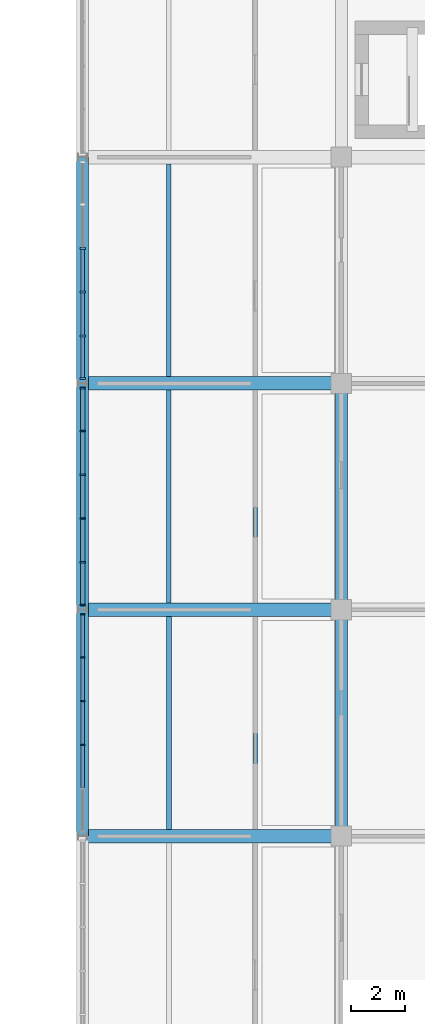
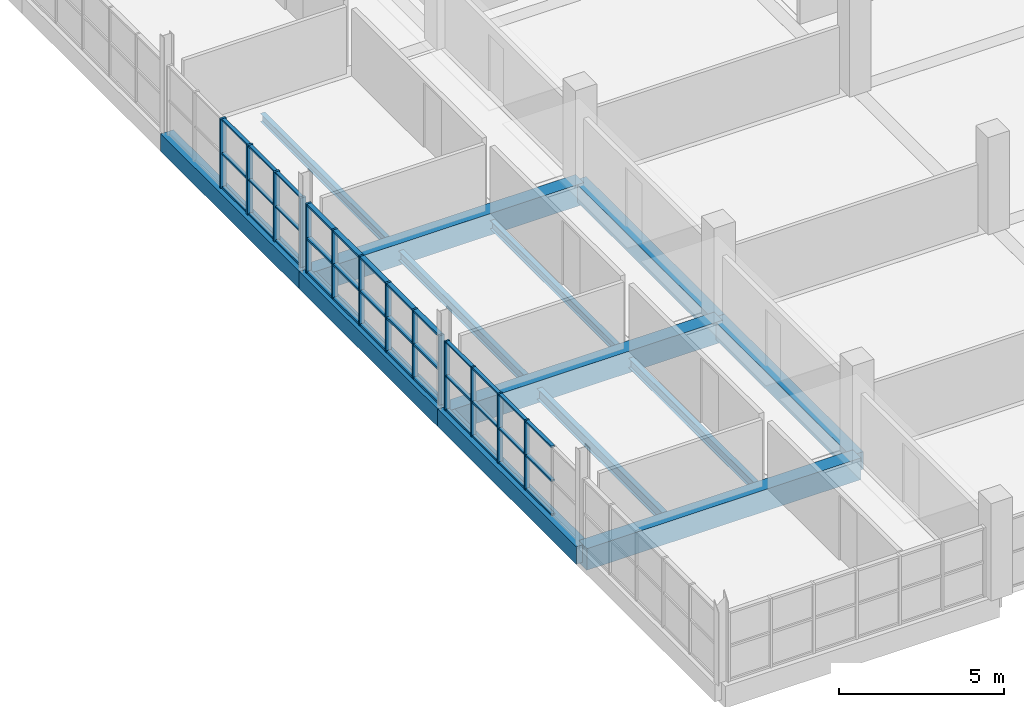
# One storey, part 30 of 147: 50 members, 13 beams, 3 elements without a shape of their own.
"""IFC4 building model written with IfcOpenShell, lengths in metres."""

from ifc_helpers import new_model, si_unit, direction, frame, origin, origin_2d, place, context, subcontext, project, spatial, rectangle, i_section, extrude, material, material_profile, profile_set, type_object, element, aggregate, save


model = new_model("IFC4")

# Units and contexts
model_context = context("Model", 3, precision=1e-05, world=origin(), true_north=direction((0.0, 1.0)))
body_context = subcontext(model_context, "Body", "Model", "MODEL_VIEW")
ifc_project = project(units=[si_unit("LENGTHUNIT", "METRE"), si_unit("AREAUNIT", "SQUARE_METRE"), si_unit("VOLUMEUNIT", "CUBIC_METRE"), si_unit("PLANEANGLEUNIT", "RADIAN"), si_unit("MASSUNIT", "GRAM", prefix="KILO")], contexts=[model_context])

# Site, building, storey
site_placement = place(None, origin())
site = spatial("IfcSite", under=ifc_project, at=site_placement, CompositionType="ELEMENT")
building_placement = place(site_placement, origin())
building = spatial("IfcBuilding", under=site, at=building_placement, Name="Oolite Switchyard Hospital", CompositionType="ELEMENT")
storey_placement = place(building_placement, frame((0.0, 0.0, 9.89990234375)))
storey = spatial("IfcBuildingStorey", under=building, at=storey_placement, Name="L02", CompositionType="ELEMENT", Elevation=9.89990234375)

# Beams
ifc_material_1 = material(Name="Concrete C40/50", Category="concrete")
ifc_material_profile_1 = material_profile(ifc_material_1, rectangle(XDim=0.449951171875, YDim=0.64990234375, at=origin_2d()), Name="RCB450X650")
ifc_profile_set_1 = profile_set([ifc_material_profile_1], Name="Concrete C40/50")
beam_type_1 = type_object("IfcBeamType", Name="BM-RC450X650", PredefinedType="BEAM", material=ifc_profile_set_1)
beam_1_placement = place(storey_placement, frame((115.199951171875, 42.0, -0.324951171875), z_axis=(0.0, 1.0, 0.0), x_axis=(-1.0, 0.0, 0.0)))
element("IfcBeam", 1, at=beam_1_placement, inside=storey, type_object=beam_type_1, Name="L02 Y-Girder 1383", PredefinedType="BEAM", context=body_context, shape_type="SweptSolid", body=[
    extrude(rectangle(XDim=0.449951171875, YDim=0.64990234375, at=origin_2d()), origin(), (0.0, 0.0, 1.0), 8.39990234375),
])
beam_2_placement = place(storey_placement, frame((115.199951171875, 50.39990234375, -0.324951171875), z_axis=(0.0, 1.0, 0.0), x_axis=(-1.0, 0.0, 0.0)))
element("IfcBeam", 2, at=beam_2_placement, inside=storey, type_object=beam_type_1, Name="L02 Y-Girder 1384", PredefinedType="BEAM", context=body_context, shape_type="SweptSolid", body=[
    extrude(rectangle(XDim=0.449951171875, YDim=0.64990234375, at=origin_2d()), origin(), (0.0, 0.0, 1.0), 8.400146484375),
])
for number, where, z_axis, x_axis, name in (
    (3, (115.199951171875, 58.800048828125, -0.324951171875), (0.0, 1.0, 0.0), (-1.0, 0.0, 0.0), "L02 Y-Girder 1385"),
    (4, (124.800048828125, 42.0, -0.324951171875), (0.0, 1.0, 0.0), (-1.0, 0.0, 0.0), "L02 Y-Girder 1392"),
):
    element("IfcBeam", number, at=place(storey_placement, frame(where, z_axis=z_axis, x_axis=x_axis)), inside=storey, type_object=beam_type_1, Name=name, PredefinedType="BEAM", context=body_context, shape_type="SweptSolid", body=[
        extrude(rectangle(XDim=0.449951171875, YDim=0.64990234375, at=origin_2d()), origin(), (0.0, 0.0, 1.0), 8.39990234375),
    ])
beam_3_placement = place(storey_placement, frame((124.800048828125, 50.39990234375, -0.324951171875), z_axis=(0.0, 1.0, 0.0), x_axis=(-1.0, 0.0, 0.0)))
element("IfcBeam", 5, at=beam_3_placement, inside=storey, type_object=beam_type_1, Name="L02 Y-Girder 1393", PredefinedType="BEAM", context=body_context, shape_type="SweptSolid", body=[
    extrude(rectangle(XDim=0.449951171875, YDim=0.64990234375, at=origin_2d()), origin(), (0.0, 0.0, 1.0), 8.400146484375),
])
ifc_material_profile_2 = material_profile(ifc_material_1, rectangle(XDim=0.5, YDim=0.800048828125, at=origin_2d()), Name="RCB500X800")
ifc_profile_set_2 = profile_set([ifc_material_profile_2], Name="Concrete C40/50")
beam_type_2 = type_object("IfcBeamType", Name="BM-RC500X800", PredefinedType="BEAM", material=ifc_profile_set_2)
for number, where, z_axis, x_axis, name in (
    (6, (115.199951171875, 42.0, -0.39990234375), (1.0, 0.0, 0.0), (0.0, 1.0, 0.0), "L02 X-Girder 1056"),
    (7, (115.199951171875, 50.39990234375, -0.39990234375), (1.0, 0.0, 0.0), (0.0, 1.0, 0.0), "L02 X-Girder 1068"),
    (8, (115.199951171875, 58.800048828125, -0.39990234375), (1.0, 0.0, 0.0), (0.0, 1.0, 0.0), "L02 X-Girder 1084"),
):
    element("IfcBeam", number, at=place(storey_placement, frame(where, z_axis=z_axis, x_axis=x_axis)), inside=storey, type_object=beam_type_2, Name=name, PredefinedType="BEAM", context=body_context, shape_type="SweptSolid", body=[
        extrude(rectangle(XDim=0.5, YDim=0.800048828125, at=origin_2d()), origin(), (0.0, 0.0, 1.0), 9.60009765625),
    ])
ifc_material_2 = material(Name="Steel ASTM A992 Grade 50", Category="steel")
ifc_material_profile_3 = material_profile(ifc_material_2, i_section(OverallWidth=0.1650390625, OverallDepth=0.31005859375, WebThickness=0.006103515625, FlangeThickness=0.010009765625, at=origin_2d()), Name="W12X26")
ifc_profile_set_3 = profile_set([ifc_material_profile_3], Name="Steel ASTM A992 Grade 50")
beam_type_3 = type_object("IfcBeamType", Name="BM-W12X26", PredefinedType="JOIST", material=ifc_profile_set_3)
beam_4_placement = place(storey_placement, frame((121.60009765625, 50.64990234375, -0.414794921875), z_axis=(0.0, 1.0, 0.0), x_axis=(-1.0, 0.0, 0.0)))
element("IfcBeam", 9, at=beam_4_placement, inside=storey, type_object=beam_type_3, Name="L02 Secondary Steel Joist 1737", PredefinedType="JOIST", context=body_context, shape_type="SweptSolid", body=[
    extrude(i_section(OverallWidth=0.1650390625, OverallDepth=0.31005859375, WebThickness=0.006103515625, FlangeThickness=0.010009765625, at=origin_2d()), origin(), (0.0, 0.0, 1.0), 7.900146484375),
])
beam_5_placement = place(storey_placement, frame((118.39990234375, 59.050048828125, -0.414794921875), z_axis=(0.0, 1.0, 0.0), x_axis=(-1.0, 0.0, 0.0)))
element("IfcBeam", 10, at=beam_5_placement, inside=storey, type_object=beam_type_3, Name="L02 Secondary Steel Joist 1738", PredefinedType="JOIST", context=body_context, shape_type="SweptSolid", body=[
    extrude(i_section(OverallWidth=0.1650390625, OverallDepth=0.31005859375, WebThickness=0.006103515625, FlangeThickness=0.010009765625, at=origin_2d()), origin(), (0.0, 0.0, 1.0), 7.89990234375),
])
ifc_material_profile_4 = material_profile(ifc_material_2, i_section(OverallWidth=0.1708984375, OverallDepth=0.35107421875, WebThickness=0.007080078125, FlangeThickness=0.010009765625, at=origin_2d()), Name="W14X30")
ifc_profile_set_4 = profile_set([ifc_material_profile_4], Name="Steel ASTM A992 Grade 50")
beam_type_4 = type_object("IfcBeamType", Name="BM-W14X30", PredefinedType="JOIST", material=ifc_profile_set_4)
beam_6_placement = place(storey_placement, frame((121.60009765625, 42.25, -0.434814453125), z_axis=(0.0, 1.0, 0.0), x_axis=(-1.0, 0.0, 0.0)))
element("IfcBeam", 11, at=beam_6_placement, inside=storey, type_object=beam_type_4, Name="L02 Secondary Steel Joist 1735", PredefinedType="JOIST", context=body_context, shape_type="SweptSolid", body=[
    extrude(i_section(OverallWidth=0.1708984375, OverallDepth=0.35107421875, WebThickness=0.007080078125, FlangeThickness=0.010009765625, at=origin_2d()), origin(), (0.0, 0.0, 1.0), 7.89990234375),
])
beam_7_placement = place(storey_placement, frame((118.39990234375, 50.64990234375, -0.434814453125), z_axis=(0.0, 1.0, 0.0), x_axis=(-1.0, 0.0, 0.0)))
element("IfcBeam", 12, at=beam_7_placement, inside=storey, type_object=beam_type_4, Name="L02 Secondary Steel Joist 1736", PredefinedType="JOIST", context=body_context, shape_type="SweptSolid", body=[
    extrude(i_section(OverallWidth=0.1708984375, OverallDepth=0.35107421875, WebThickness=0.007080078125, FlangeThickness=0.010009765625, at=origin_2d()), origin(), (0.0, 0.0, 1.0), 7.900146484375),
])
ifc_material_profile_5 = material_profile(ifc_material_2, i_section(OverallWidth=0.177978515625, OverallDepth=0.403076171875, WebThickness=0.008056640625, FlangeThickness=0.010986328125, at=origin_2d()), Name="W16X36")
ifc_profile_set_5 = profile_set([ifc_material_profile_5], Name="Steel ASTM A992 Grade 50")
beam_type_5 = type_object("IfcBeamType", Name="BM-W16X36", PredefinedType="JOIST", material=ifc_profile_set_5)
beam_8_placement = place(storey_placement, frame((118.39990234375, 42.25, -0.4609375), z_axis=(0.0, 1.0, 0.0), x_axis=(-1.0, 0.0, 0.0)))
element("IfcBeam", 13, at=beam_8_placement, inside=storey, type_object=beam_type_5, Name="L02 Secondary Steel Joist 1734", PredefinedType="JOIST", context=body_context, shape_type="SweptSolid", body=[
    extrude(i_section(OverallWidth=0.177978515625, OverallDepth=0.403076171875, WebThickness=0.008056640625, FlangeThickness=0.010986328125, at=origin_2d()), origin(), (0.0, 0.0, 1.0), 7.89990234375),
])

# Curtain wall, members
ifc_material_3 = material(Name="Thermally broken aluminum frame with laminated impact glazing", Category="aluminium")
curtain_wall_type = type_object("IfcCurtainWallType", Name="CW-UNIT-84X36", PredefinedType="USERDEFINED", material=ifc_material_3)
curtain_wall_1_placement = place(storey_placement, origin())
curtain_wall_1 = element("IfcCurtainWall", 14, at=curtain_wall_1_placement, inside=storey, type_object=curtain_wall_type, Name="L02 Unitised Curtain Wall 292", ObjectType="UNITISED", PredefinedType="USERDEFINED")
ifc_material_4 = material(Name="Aluminium 6063-T6", Category="aluminium")
ifc_material_profile_6 = material_profile(ifc_material_4, rectangle(XDim=0.159912109375, YDim=0.06005859375, at=origin_2d()), Name="CWM60X160")
ifc_profile_set_6 = profile_set([ifc_material_profile_6], Name="Aluminium 6063-T6")
member_type_1 = type_object("IfcMemberType", Name="CW-MUL-180", PredefinedType="MULLION", material=ifc_profile_set_6)
member_1_placement = place(storey_placement, frame((115.199951171875, 45.388427734375, 0.0), z_axis=(0.0, 0.0, 1.0), x_axis=(-1.0, 0.0, 0.0)))
member_1 = element("IfcMember", 15, at=member_1_placement, type_object=member_type_1, Name="CW-08 mullion 3", PredefinedType="MULLION", context=body_context, shape_type="SweptSolid", body=[
    extrude(rectangle(XDim=0.159912109375, YDim=0.06005859375, at=origin_2d()), origin(), (0.0, 0.0, 1.0), 2.570068359375),
])
member_2_placement = place(storey_placement, frame((115.199951171875, 47.01171875, 0.0), z_axis=(0.0, 0.0, 1.0), x_axis=(-1.0, 0.0, 0.0)))
member_2 = element("IfcMember", 16, at=member_2_placement, type_object=member_type_1, Name="CW-08 mullion 4", PredefinedType="MULLION", context=body_context, shape_type="SweptSolid", body=[
    extrude(rectangle(XDim=0.159912109375, YDim=0.06005859375, at=origin_2d()), origin(), (0.0, 0.0, 1.0), 2.570068359375),
])
member_3_placement = place(storey_placement, frame((115.199951171875, 48.634765625, 0.0), z_axis=(0.0, 0.0, 1.0), x_axis=(-1.0, 0.0, 0.0)))
member_3 = element("IfcMember", 17, at=member_3_placement, type_object=member_type_1, Name="CW-08 mullion 5", PredefinedType="MULLION", context=body_context, shape_type="SweptSolid", body=[
    extrude(rectangle(XDim=0.159912109375, YDim=0.06005859375, at=origin_2d()), origin(), (0.0, 0.0, 1.0), 2.570068359375),
])
member_4_placement = place(storey_placement, frame((115.199951171875, 50.22802734375, 0.0), z_axis=(0.0, 0.0, 1.0), x_axis=(-1.0, 0.0, 0.0)))
member_4 = element("IfcMember", 18, at=member_4_placement, type_object=member_type_1, Name="CW-08 mullion 6", PredefinedType="MULLION", context=body_context, shape_type="SweptSolid", body=[
    extrude(rectangle(XDim=0.159912109375, YDim=0.06005859375, at=origin_2d()), origin(), (0.0, 0.0, 1.0), 2.570068359375),
])

curtain_wall_2_placement = place(storey_placement, origin())
curtain_wall_2 = element("IfcCurtainWall", 19, at=curtain_wall_2_placement, inside=storey, type_object=curtain_wall_type, Name="L02 Unitised Curtain Wall 293", ObjectType="UNITISED", PredefinedType="USERDEFINED")
ifc_material_profile_7 = material_profile(ifc_material_4, rectangle(XDim=0.179931640625, YDim=0.070068359375, at=origin_2d()), Name="CWM70X180")
ifc_profile_set_7 = profile_set([ifc_material_profile_7], Name="Aluminium 6063-T6")
member_type_2 = type_object("IfcMemberType", Name="CW-MUL-220", PredefinedType="MULLION", material=ifc_profile_set_7)
member_5_placement = place(storey_placement, frame((115.199951171875, 50.576904296875, 0.0), z_axis=(0.0, 0.0, 1.0), x_axis=(-1.0, 0.0, 0.0)))
member_5 = element("IfcMember", 20, at=member_5_placement, type_object=member_type_2, Name="CW-08 mullion 1", PredefinedType="MULLION", context=body_context, shape_type="SweptSolid", body=[
    extrude(rectangle(XDim=0.179931640625, YDim=0.070068359375, at=origin_2d()), origin(), (0.0, 0.0, 1.0), 2.570068359375),
])
member_6_placement = place(storey_placement, frame((115.199951171875, 52.165283203125, 0.0), z_axis=(0.0, 0.0, 1.0), x_axis=(-1.0, 0.0, 0.0)))
member_6 = element("IfcMember", 21, at=member_6_placement, type_object=member_type_2, Name="CW-08 mullion 2", PredefinedType="MULLION", context=body_context, shape_type="SweptSolid", body=[
    extrude(rectangle(XDim=0.179931640625, YDim=0.070068359375, at=origin_2d()), origin(), (0.0, 0.0, 1.0), 2.570068359375),
])
member_7_placement = place(storey_placement, frame((115.199951171875, 53.788330078125, 0.0), z_axis=(0.0, 0.0, 1.0), x_axis=(-1.0, 0.0, 0.0)))
member_7 = element("IfcMember", 22, at=member_7_placement, type_object=member_type_2, Name="CW-08 mullion 3", PredefinedType="MULLION", context=body_context, shape_type="SweptSolid", body=[
    extrude(rectangle(XDim=0.179931640625, YDim=0.070068359375, at=origin_2d()), origin(), (0.0, 0.0, 1.0), 2.570068359375),
])
member_8_placement = place(storey_placement, frame((115.199951171875, 55.41162109375, 0.0), z_axis=(0.0, 0.0, 1.0), x_axis=(-1.0, 0.0, 0.0)))
member_8 = element("IfcMember", 23, at=member_8_placement, type_object=member_type_2, Name="CW-08 mullion 4", PredefinedType="MULLION", context=body_context, shape_type="SweptSolid", body=[
    extrude(rectangle(XDim=0.179931640625, YDim=0.070068359375, at=origin_2d()), origin(), (0.0, 0.0, 1.0), 2.570068359375),
])
member_9_placement = place(storey_placement, frame((115.199951171875, 57.034912109375, 0.0), z_axis=(0.0, 0.0, 1.0), x_axis=(-1.0, 0.0, 0.0)))
member_9 = element("IfcMember", 24, at=member_9_placement, type_object=member_type_2, Name="CW-08 mullion 5", PredefinedType="MULLION", context=body_context, shape_type="SweptSolid", body=[
    extrude(rectangle(XDim=0.179931640625, YDim=0.070068359375, at=origin_2d()), origin(), (0.0, 0.0, 1.0), 2.570068359375),
])
member_10_placement = place(storey_placement, frame((115.199951171875, 58.623046875, 0.0), z_axis=(0.0, 0.0, 1.0), x_axis=(-1.0, 0.0, 0.0)))
member_10 = element("IfcMember", 25, at=member_10_placement, type_object=member_type_2, Name="CW-08 mullion 6", PredefinedType="MULLION", context=body_context, shape_type="SweptSolid", body=[
    extrude(rectangle(XDim=0.179931640625, YDim=0.070068359375, at=origin_2d()), origin(), (0.0, 0.0, 1.0), 2.570068359375),
])

curtain_wall_3_placement = place(storey_placement, origin())
curtain_wall_3 = element("IfcCurtainWall", 26, at=curtain_wall_3_placement, inside=storey, type_object=curtain_wall_type, Name="L02 Unitised Curtain Wall 294", ObjectType="UNITISED", PredefinedType="USERDEFINED")
ifc_material_profile_8 = material_profile(ifc_material_4, rectangle(XDim=0.199951171875, YDim=0.074951171875, at=origin_2d()), Name="CWM75X200")
ifc_profile_set_8 = profile_set([ifc_material_profile_8], Name="Aluminium 6063-T6")
member_type_3 = type_object("IfcMemberType", Name="CW-MUL-260", PredefinedType="MULLION", material=ifc_profile_set_8)
member_11_placement = place(storey_placement, frame((115.199951171875, 58.9794921875, 0.0), z_axis=(0.0, 0.0, 1.0), x_axis=(-1.0, 0.0, 0.0)))
member_11 = element("IfcMember", 27, at=member_11_placement, type_object=member_type_3, Name="CW-08 mullion 1", PredefinedType="MULLION", context=body_context, shape_type="SweptSolid", body=[
    extrude(rectangle(XDim=0.199951171875, YDim=0.074951171875, at=origin_2d()), origin(), (0.0, 0.0, 1.0), 2.570068359375),
])
member_12_placement = place(storey_placement, frame((115.199951171875, 60.565185546875, 0.0), z_axis=(0.0, 0.0, 1.0), x_axis=(-1.0, 0.0, 0.0)))
member_12 = element("IfcMember", 28, at=member_12_placement, type_object=member_type_3, Name="CW-08 mullion 2", PredefinedType="MULLION", context=body_context, shape_type="SweptSolid", body=[
    extrude(rectangle(XDim=0.199951171875, YDim=0.074951171875, at=origin_2d()), origin(), (0.0, 0.0, 1.0), 2.570068359375),
])
member_13_placement = place(storey_placement, frame((115.199951171875, 62.1884765625, 0.0), z_axis=(0.0, 0.0, 1.0), x_axis=(-1.0, 0.0, 0.0)))
member_13 = element("IfcMember", 29, at=member_13_placement, type_object=member_type_3, Name="CW-08 mullion 3", PredefinedType="MULLION", context=body_context, shape_type="SweptSolid", body=[
    extrude(rectangle(XDim=0.199951171875, YDim=0.074951171875, at=origin_2d()), origin(), (0.0, 0.0, 1.0), 2.570068359375),
])
member_14_placement = place(storey_placement, frame((115.199951171875, 63.8115234375, 0.0), z_axis=(0.0, 0.0, 1.0), x_axis=(-1.0, 0.0, 0.0)))
member_14 = element("IfcMember", 30, at=member_14_placement, type_object=member_type_3, Name="CW-08 mullion 4", PredefinedType="MULLION", context=body_context, shape_type="SweptSolid", body=[
    extrude(rectangle(XDim=0.199951171875, YDim=0.074951171875, at=origin_2d()), origin(), (0.0, 0.0, 1.0), 2.570068359375),
])

# Member
ifc_material_profile_9 = material_profile(ifc_material_4, rectangle(XDim=0.1201171875, YDim=0.06005859375, at=origin_2d()), Name="CWT60X120")
ifc_profile_set_9 = profile_set([ifc_material_profile_9], Name="Aluminium 6063-T6")
member_type_4 = type_object("IfcMemberType", Name="CW-TRN-150", PredefinedType="USERDEFINED", material=ifc_profile_set_9)
member_15_placement = place(storey_placement, frame((115.199951171875, 43.795166015625, 0.030029296875), z_axis=(0.0, 1.0, 0.0), x_axis=(-1.0, 0.0, 0.0)))
member_15 = element("IfcMember", 31, at=member_15_placement, type_object=member_type_4, Name="CW-08 transom 2.1", ObjectType="TRANSOM", PredefinedType="USERDEFINED", context=body_context, shape_type="SweptSolid", body=[
    extrude(rectangle(XDim=0.1201171875, YDim=0.06005859375, at=origin_2d()), origin(), (0.0, 0.0, 1.0), 1.563232421875),
])

member_16_placement = place(storey_placement, frame((115.199951171875, 43.795166015625, 1.28515625), z_axis=(0.0, 1.0, 0.0), x_axis=(-1.0, 0.0, 0.0)))
member_16 = element("IfcMember", 32, at=member_16_placement, type_object=member_type_4, Name="CW-08 transom 2.2", ObjectType="TRANSOM", PredefinedType="USERDEFINED", context=body_context, shape_type="SweptSolid", body=[
    extrude(rectangle(XDim=0.1201171875, YDim=0.06005859375, at=origin_2d()), origin(), (0.0, 0.0, 1.0), 1.563232421875),
])

member_17_placement = place(storey_placement, frame((115.199951171875, 43.795166015625, 2.5400390625), z_axis=(0.0, 1.0, 0.0), x_axis=(-1.0, 0.0, 0.0)))
member_17 = element("IfcMember", 33, at=member_17_placement, type_object=member_type_4, Name="CW-08 transom 2.3", ObjectType="TRANSOM", PredefinedType="USERDEFINED", context=body_context, shape_type="SweptSolid", body=[
    extrude(rectangle(XDim=0.1201171875, YDim=0.06005859375, at=origin_2d()), origin(), (0.0, 0.0, 1.0), 1.563232421875),
])

member_18_placement = place(storey_placement, frame((115.199951171875, 45.41845703125, 0.030029296875), z_axis=(0.0, 1.0, 0.0), x_axis=(-1.0, 0.0, 0.0)))
member_18 = element("IfcMember", 34, at=member_18_placement, type_object=member_type_4, Name="CW-08 transom 3.1", ObjectType="TRANSOM", PredefinedType="USERDEFINED", context=body_context, shape_type="SweptSolid", body=[
    extrude(rectangle(XDim=0.1201171875, YDim=0.06005859375, at=origin_2d()), origin(), (0.0, 0.0, 1.0), 1.563232421875),
])

member_19_placement = place(storey_placement, frame((115.199951171875, 45.41845703125, 1.28515625), z_axis=(0.0, 1.0, 0.0), x_axis=(-1.0, 0.0, 0.0)))
member_19 = element("IfcMember", 35, at=member_19_placement, type_object=member_type_4, Name="CW-08 transom 3.2", ObjectType="TRANSOM", PredefinedType="USERDEFINED", context=body_context, shape_type="SweptSolid", body=[
    extrude(rectangle(XDim=0.1201171875, YDim=0.06005859375, at=origin_2d()), origin(), (0.0, 0.0, 1.0), 1.563232421875),
])

member_20_placement = place(storey_placement, frame((115.199951171875, 45.41845703125, 2.5400390625), z_axis=(0.0, 1.0, 0.0), x_axis=(-1.0, 0.0, 0.0)))
member_20 = element("IfcMember", 36, at=member_20_placement, type_object=member_type_4, Name="CW-08 transom 3.3", ObjectType="TRANSOM", PredefinedType="USERDEFINED", context=body_context, shape_type="SweptSolid", body=[
    extrude(rectangle(XDim=0.1201171875, YDim=0.06005859375, at=origin_2d()), origin(), (0.0, 0.0, 1.0), 1.563232421875),
])

member_21_placement = place(storey_placement, frame((115.199951171875, 47.04150390625, 0.030029296875), z_axis=(0.0, 1.0, 0.0), x_axis=(-1.0, 0.0, 0.0)))
member_21 = element("IfcMember", 37, at=member_21_placement, type_object=member_type_4, Name="CW-08 transom 4.1", ObjectType="TRANSOM", PredefinedType="USERDEFINED", context=body_context, shape_type="SweptSolid", body=[
    extrude(rectangle(XDim=0.1201171875, YDim=0.06005859375, at=origin_2d()), origin(), (0.0, 0.0, 1.0), 1.563232421875),
])

member_22_placement = place(storey_placement, frame((115.199951171875, 47.04150390625, 1.28515625), z_axis=(0.0, 1.0, 0.0), x_axis=(-1.0, 0.0, 0.0)))
member_22 = element("IfcMember", 38, at=member_22_placement, type_object=member_type_4, Name="CW-08 transom 4.2", ObjectType="TRANSOM", PredefinedType="USERDEFINED", context=body_context, shape_type="SweptSolid", body=[
    extrude(rectangle(XDim=0.1201171875, YDim=0.06005859375, at=origin_2d()), origin(), (0.0, 0.0, 1.0), 1.563232421875),
])

member_23_placement = place(storey_placement, frame((115.199951171875, 47.04150390625, 2.5400390625), z_axis=(0.0, 1.0, 0.0), x_axis=(-1.0, 0.0, 0.0)))
member_23 = element("IfcMember", 39, at=member_23_placement, type_object=member_type_4, Name="CW-08 transom 4.3", ObjectType="TRANSOM", PredefinedType="USERDEFINED", context=body_context, shape_type="SweptSolid", body=[
    extrude(rectangle(XDim=0.1201171875, YDim=0.06005859375, at=origin_2d()), origin(), (0.0, 0.0, 1.0), 1.563232421875),
])

member_24_placement = place(storey_placement, frame((115.199951171875, 48.664794921875, 0.030029296875), z_axis=(0.0, 1.0, 0.0), x_axis=(-1.0, 0.0, 0.0)))
member_24 = element("IfcMember", 40, at=member_24_placement, type_object=member_type_4, Name="CW-08 transom 5.1", ObjectType="TRANSOM", PredefinedType="USERDEFINED", context=body_context, shape_type="SweptSolid", body=[
    extrude(rectangle(XDim=0.1201171875, YDim=0.06005859375, at=origin_2d()), origin(), (0.0, 0.0, 1.0), 1.533203125),
])

member_25_placement = place(storey_placement, frame((115.199951171875, 48.664794921875, 1.28515625), z_axis=(0.0, 1.0, 0.0), x_axis=(-1.0, 0.0, 0.0)))
member_25 = element("IfcMember", 41, at=member_25_placement, type_object=member_type_4, Name="CW-08 transom 5.2", ObjectType="TRANSOM", PredefinedType="USERDEFINED", context=body_context, shape_type="SweptSolid", body=[
    extrude(rectangle(XDim=0.1201171875, YDim=0.06005859375, at=origin_2d()), origin(), (0.0, 0.0, 1.0), 1.533203125),
])

member_26_placement = place(storey_placement, frame((115.199951171875, 48.664794921875, 2.5400390625), z_axis=(0.0, 1.0, 0.0), x_axis=(-1.0, 0.0, 0.0)))
member_26 = element("IfcMember", 42, at=member_26_placement, type_object=member_type_4, Name="CW-08 transom 5.3", ObjectType="TRANSOM", PredefinedType="USERDEFINED", context=body_context, shape_type="SweptSolid", body=[
    extrude(rectangle(XDim=0.1201171875, YDim=0.06005859375, at=origin_2d()), origin(), (0.0, 0.0, 1.0), 1.533203125),
])

aggregate(curtain_wall_1, [member_1, member_2, member_3, member_4, member_15, member_16, member_17, member_18, member_19, member_20, member_21, member_22, member_23, member_24, member_25, member_26])

member_27_placement = place(storey_placement, frame((115.199951171875, 59.01708984375, 0.030029296875), z_axis=(0.0, 1.0, 0.0), x_axis=(-1.0, 0.0, 0.0)))
member_27 = element("IfcMember", 43, at=member_27_placement, type_object=member_type_4, Name="CW-08 transom 1.1", ObjectType="TRANSOM", PredefinedType="USERDEFINED", context=body_context, shape_type="SweptSolid", body=[
    extrude(rectangle(XDim=0.1201171875, YDim=0.06005859375, at=origin_2d()), origin(), (0.0, 0.0, 1.0), 1.510498046875),
])

member_28_placement = place(storey_placement, frame((115.199951171875, 59.01708984375, 1.28515625), z_axis=(0.0, 1.0, 0.0), x_axis=(-1.0, 0.0, 0.0)))
member_28 = element("IfcMember", 44, at=member_28_placement, type_object=member_type_4, Name="CW-08 transom 1.2", ObjectType="TRANSOM", PredefinedType="USERDEFINED", context=body_context, shape_type="SweptSolid", body=[
    extrude(rectangle(XDim=0.1201171875, YDim=0.06005859375, at=origin_2d()), origin(), (0.0, 0.0, 1.0), 1.510498046875),
])

member_29_placement = place(storey_placement, frame((115.199951171875, 59.01708984375, 2.5400390625), z_axis=(0.0, 1.0, 0.0), x_axis=(-1.0, 0.0, 0.0)))
member_29 = element("IfcMember", 45, at=member_29_placement, type_object=member_type_4, Name="CW-08 transom 1.3", ObjectType="TRANSOM", PredefinedType="USERDEFINED", context=body_context, shape_type="SweptSolid", body=[
    extrude(rectangle(XDim=0.1201171875, YDim=0.06005859375, at=origin_2d()), origin(), (0.0, 0.0, 1.0), 1.510498046875),
])

member_30_placement = place(storey_placement, frame((115.199951171875, 60.602783203125, 0.030029296875), z_axis=(0.0, 1.0, 0.0), x_axis=(-1.0, 0.0, 0.0)))
member_30 = element("IfcMember", 46, at=member_30_placement, type_object=member_type_4, Name="CW-08 transom 2.1", ObjectType="TRANSOM", PredefinedType="USERDEFINED", context=body_context, shape_type="SweptSolid", body=[
    extrude(rectangle(XDim=0.1201171875, YDim=0.06005859375, at=origin_2d()), origin(), (0.0, 0.0, 1.0), 1.548095703125),
])

member_31_placement = place(storey_placement, frame((115.199951171875, 60.602783203125, 1.28515625), z_axis=(0.0, 1.0, 0.0), x_axis=(-1.0, 0.0, 0.0)))
member_31 = element("IfcMember", 47, at=member_31_placement, type_object=member_type_4, Name="CW-08 transom 2.2", ObjectType="TRANSOM", PredefinedType="USERDEFINED", context=body_context, shape_type="SweptSolid", body=[
    extrude(rectangle(XDim=0.1201171875, YDim=0.06005859375, at=origin_2d()), origin(), (0.0, 0.0, 1.0), 1.548095703125),
])

member_32_placement = place(storey_placement, frame((115.199951171875, 60.602783203125, 2.5400390625), z_axis=(0.0, 1.0, 0.0), x_axis=(-1.0, 0.0, 0.0)))
member_32 = element("IfcMember", 48, at=member_32_placement, type_object=member_type_4, Name="CW-08 transom 2.3", ObjectType="TRANSOM", PredefinedType="USERDEFINED", context=body_context, shape_type="SweptSolid", body=[
    extrude(rectangle(XDim=0.1201171875, YDim=0.06005859375, at=origin_2d()), origin(), (0.0, 0.0, 1.0), 1.548095703125),
])

member_33_placement = place(storey_placement, frame((115.199951171875, 62.225830078125, 0.030029296875), z_axis=(0.0, 1.0, 0.0), x_axis=(-1.0, 0.0, 0.0)))
member_33 = element("IfcMember", 49, at=member_33_placement, type_object=member_type_4, Name="CW-08 transom 3.1", ObjectType="TRANSOM", PredefinedType="USERDEFINED", context=body_context, shape_type="SweptSolid", body=[
    extrude(rectangle(XDim=0.1201171875, YDim=0.06005859375, at=origin_2d()), origin(), (0.0, 0.0, 1.0), 1.54833984375),
])

member_34_placement = place(storey_placement, frame((115.199951171875, 62.225830078125, 1.28515625), z_axis=(0.0, 1.0, 0.0), x_axis=(-1.0, 0.0, 0.0)))
member_34 = element("IfcMember", 50, at=member_34_placement, type_object=member_type_4, Name="CW-08 transom 3.2", ObjectType="TRANSOM", PredefinedType="USERDEFINED", context=body_context, shape_type="SweptSolid", body=[
    extrude(rectangle(XDim=0.1201171875, YDim=0.06005859375, at=origin_2d()), origin(), (0.0, 0.0, 1.0), 1.54833984375),
])

member_35_placement = place(storey_placement, frame((115.199951171875, 62.225830078125, 2.5400390625), z_axis=(0.0, 1.0, 0.0), x_axis=(-1.0, 0.0, 0.0)))
member_35 = element("IfcMember", 51, at=member_35_placement, type_object=member_type_4, Name="CW-08 transom 3.3", ObjectType="TRANSOM", PredefinedType="USERDEFINED", context=body_context, shape_type="SweptSolid", body=[
    extrude(rectangle(XDim=0.1201171875, YDim=0.06005859375, at=origin_2d()), origin(), (0.0, 0.0, 1.0), 1.54833984375),
])

aggregate(curtain_wall_3, [member_11, member_12, member_13, member_14, member_27, member_28, member_29, member_30, member_31, member_32, member_33, member_34, member_35])

ifc_material_profile_10 = material_profile(ifc_material_4, rectangle(XDim=0.159912109375, YDim=0.074951171875, at=origin_2d()), Name="CWT75X160")
ifc_profile_set_10 = profile_set([ifc_material_profile_10], Name="Aluminium 6063-T6")
member_type_5 = type_object("IfcMemberType", Name="CW-TRN-180", PredefinedType="USERDEFINED", material=ifc_profile_set_10)
member_36_placement = place(storey_placement, frame((115.199951171875, 50.612060546875, 0.03759765625), z_axis=(0.0, 1.0, 0.0), x_axis=(-1.0, 0.0, 0.0)))
member_36 = element("IfcMember", 52, at=member_36_placement, type_object=member_type_5, Name="CW-08 transom 1.1", ObjectType="TRANSOM", PredefinedType="USERDEFINED", context=body_context, shape_type="SweptSolid", body=[
    extrude(rectangle(XDim=0.159912109375, YDim=0.074951171875, at=origin_2d()), origin(), (0.0, 0.0, 1.0), 1.51806640625),
])

member_37_placement = place(storey_placement, frame((115.199951171875, 50.612060546875, 1.28515625), z_axis=(0.0, 1.0, 0.0), x_axis=(-1.0, 0.0, 0.0)))
member_37 = element("IfcMember", 53, at=member_37_placement, type_object=member_type_5, Name="CW-08 transom 1.2", ObjectType="TRANSOM", PredefinedType="USERDEFINED", context=body_context, shape_type="SweptSolid", body=[
    extrude(rectangle(XDim=0.159912109375, YDim=0.074951171875, at=origin_2d()), origin(), (0.0, 0.0, 1.0), 1.51806640625),
])

member_38_placement = place(storey_placement, frame((115.199951171875, 50.612060546875, 2.53271484375), z_axis=(0.0, 1.0, 0.0), x_axis=(-1.0, 0.0, 0.0)))
member_38 = element("IfcMember", 54, at=member_38_placement, type_object=member_type_5, Name="CW-08 transom 1.3", ObjectType="TRANSOM", PredefinedType="USERDEFINED", context=body_context, shape_type="SweptSolid", body=[
    extrude(rectangle(XDim=0.159912109375, YDim=0.074951171875, at=origin_2d()), origin(), (0.0, 0.0, 1.0), 1.51806640625),
])

member_39_placement = place(storey_placement, frame((115.199951171875, 52.2001953125, 0.03759765625), z_axis=(0.0, 1.0, 0.0), x_axis=(-1.0, 0.0, 0.0)))
member_39 = element("IfcMember", 55, at=member_39_placement, type_object=member_type_5, Name="CW-08 transom 2.1", ObjectType="TRANSOM", PredefinedType="USERDEFINED", context=body_context, shape_type="SweptSolid", body=[
    extrude(rectangle(XDim=0.159912109375, YDim=0.074951171875, at=origin_2d()), origin(), (0.0, 0.0, 1.0), 1.55322265625),
])

member_40_placement = place(storey_placement, frame((115.199951171875, 52.2001953125, 1.28515625), z_axis=(0.0, 1.0, 0.0), x_axis=(-1.0, 0.0, 0.0)))
member_40 = element("IfcMember", 56, at=member_40_placement, type_object=member_type_5, Name="CW-08 transom 2.2", ObjectType="TRANSOM", PredefinedType="USERDEFINED", context=body_context, shape_type="SweptSolid", body=[
    extrude(rectangle(XDim=0.159912109375, YDim=0.074951171875, at=origin_2d()), origin(), (0.0, 0.0, 1.0), 1.55322265625),
])

member_41_placement = place(storey_placement, frame((115.199951171875, 52.2001953125, 2.53271484375), z_axis=(0.0, 1.0, 0.0), x_axis=(-1.0, 0.0, 0.0)))
member_41 = element("IfcMember", 57, at=member_41_placement, type_object=member_type_5, Name="CW-08 transom 2.3", ObjectType="TRANSOM", PredefinedType="USERDEFINED", context=body_context, shape_type="SweptSolid", body=[
    extrude(rectangle(XDim=0.159912109375, YDim=0.074951171875, at=origin_2d()), origin(), (0.0, 0.0, 1.0), 1.55322265625),
])

member_42_placement = place(storey_placement, frame((115.199951171875, 53.823486328125, 0.03759765625), z_axis=(0.0, 1.0, 0.0), x_axis=(-1.0, 0.0, 0.0)))
member_42 = element("IfcMember", 58, at=member_42_placement, type_object=member_type_5, Name="CW-08 transom 3.1", ObjectType="TRANSOM", PredefinedType="USERDEFINED", context=body_context, shape_type="SweptSolid", body=[
    extrude(rectangle(XDim=0.159912109375, YDim=0.074951171875, at=origin_2d()), origin(), (0.0, 0.0, 1.0), 1.55322265625),
])

member_43_placement = place(storey_placement, frame((115.199951171875, 53.823486328125, 1.28515625), z_axis=(0.0, 1.0, 0.0), x_axis=(-1.0, 0.0, 0.0)))
member_43 = element("IfcMember", 59, at=member_43_placement, type_object=member_type_5, Name="CW-08 transom 3.2", ObjectType="TRANSOM", PredefinedType="USERDEFINED", context=body_context, shape_type="SweptSolid", body=[
    extrude(rectangle(XDim=0.159912109375, YDim=0.074951171875, at=origin_2d()), origin(), (0.0, 0.0, 1.0), 1.55322265625),
])

member_44_placement = place(storey_placement, frame((115.199951171875, 53.823486328125, 2.53271484375), z_axis=(0.0, 1.0, 0.0), x_axis=(-1.0, 0.0, 0.0)))
member_44 = element("IfcMember", 60, at=member_44_placement, type_object=member_type_5, Name="CW-08 transom 3.3", ObjectType="TRANSOM", PredefinedType="USERDEFINED", context=body_context, shape_type="SweptSolid", body=[
    extrude(rectangle(XDim=0.159912109375, YDim=0.074951171875, at=origin_2d()), origin(), (0.0, 0.0, 1.0), 1.55322265625),
])

member_45_placement = place(storey_placement, frame((115.199951171875, 55.446533203125, 0.03759765625), z_axis=(0.0, 1.0, 0.0), x_axis=(-1.0, 0.0, 0.0)))
member_45 = element("IfcMember", 61, at=member_45_placement, type_object=member_type_5, Name="CW-08 transom 4.1", ObjectType="TRANSOM", PredefinedType="USERDEFINED", context=body_context, shape_type="SweptSolid", body=[
    extrude(rectangle(XDim=0.159912109375, YDim=0.074951171875, at=origin_2d()), origin(), (0.0, 0.0, 1.0), 1.55322265625),
])

member_46_placement = place(storey_placement, frame((115.199951171875, 55.446533203125, 1.28515625), z_axis=(0.0, 1.0, 0.0), x_axis=(-1.0, 0.0, 0.0)))
member_46 = element("IfcMember", 62, at=member_46_placement, type_object=member_type_5, Name="CW-08 transom 4.2", ObjectType="TRANSOM", PredefinedType="USERDEFINED", context=body_context, shape_type="SweptSolid", body=[
    extrude(rectangle(XDim=0.159912109375, YDim=0.074951171875, at=origin_2d()), origin(), (0.0, 0.0, 1.0), 1.55322265625),
])

member_47_placement = place(storey_placement, frame((115.199951171875, 55.446533203125, 2.53271484375), z_axis=(0.0, 1.0, 0.0), x_axis=(-1.0, 0.0, 0.0)))
member_47 = element("IfcMember", 63, at=member_47_placement, type_object=member_type_5, Name="CW-08 transom 4.3", ObjectType="TRANSOM", PredefinedType="USERDEFINED", context=body_context, shape_type="SweptSolid", body=[
    extrude(rectangle(XDim=0.159912109375, YDim=0.074951171875, at=origin_2d()), origin(), (0.0, 0.0, 1.0), 1.55322265625),
])

member_48_placement = place(storey_placement, frame((115.199951171875, 57.06982421875, 0.03759765625), z_axis=(0.0, 1.0, 0.0), x_axis=(-1.0, 0.0, 0.0)))
member_48 = element("IfcMember", 64, at=member_48_placement, type_object=member_type_5, Name="CW-08 transom 5.1", ObjectType="TRANSOM", PredefinedType="USERDEFINED", context=body_context, shape_type="SweptSolid", body=[
    extrude(rectangle(XDim=0.159912109375, YDim=0.074951171875, at=origin_2d()), origin(), (0.0, 0.0, 1.0), 1.51806640625),
])

member_49_placement = place(storey_placement, frame((115.199951171875, 57.06982421875, 1.28515625), z_axis=(0.0, 1.0, 0.0), x_axis=(-1.0, 0.0, 0.0)))
member_49 = element("IfcMember", 65, at=member_49_placement, type_object=member_type_5, Name="CW-08 transom 5.2", ObjectType="TRANSOM", PredefinedType="USERDEFINED", context=body_context, shape_type="SweptSolid", body=[
    extrude(rectangle(XDim=0.159912109375, YDim=0.074951171875, at=origin_2d()), origin(), (0.0, 0.0, 1.0), 1.51806640625),
])

member_50_placement = place(storey_placement, frame((115.199951171875, 57.06982421875, 2.53271484375), z_axis=(0.0, 1.0, 0.0), x_axis=(-1.0, 0.0, 0.0)))
member_50 = element("IfcMember", 66, at=member_50_placement, type_object=member_type_5, Name="CW-08 transom 5.3", ObjectType="TRANSOM", PredefinedType="USERDEFINED", context=body_context, shape_type="SweptSolid", body=[
    extrude(rectangle(XDim=0.159912109375, YDim=0.074951171875, at=origin_2d()), origin(), (0.0, 0.0, 1.0), 1.51806640625),
])

aggregate(curtain_wall_2, [member_5, member_6, member_7, member_8, member_9, member_10, member_36, member_37, member_38, member_39, member_40, member_41, member_42, member_43, member_44, member_45, member_46, member_47, member_48, member_49, member_50])

save(model, "model.ifc")
